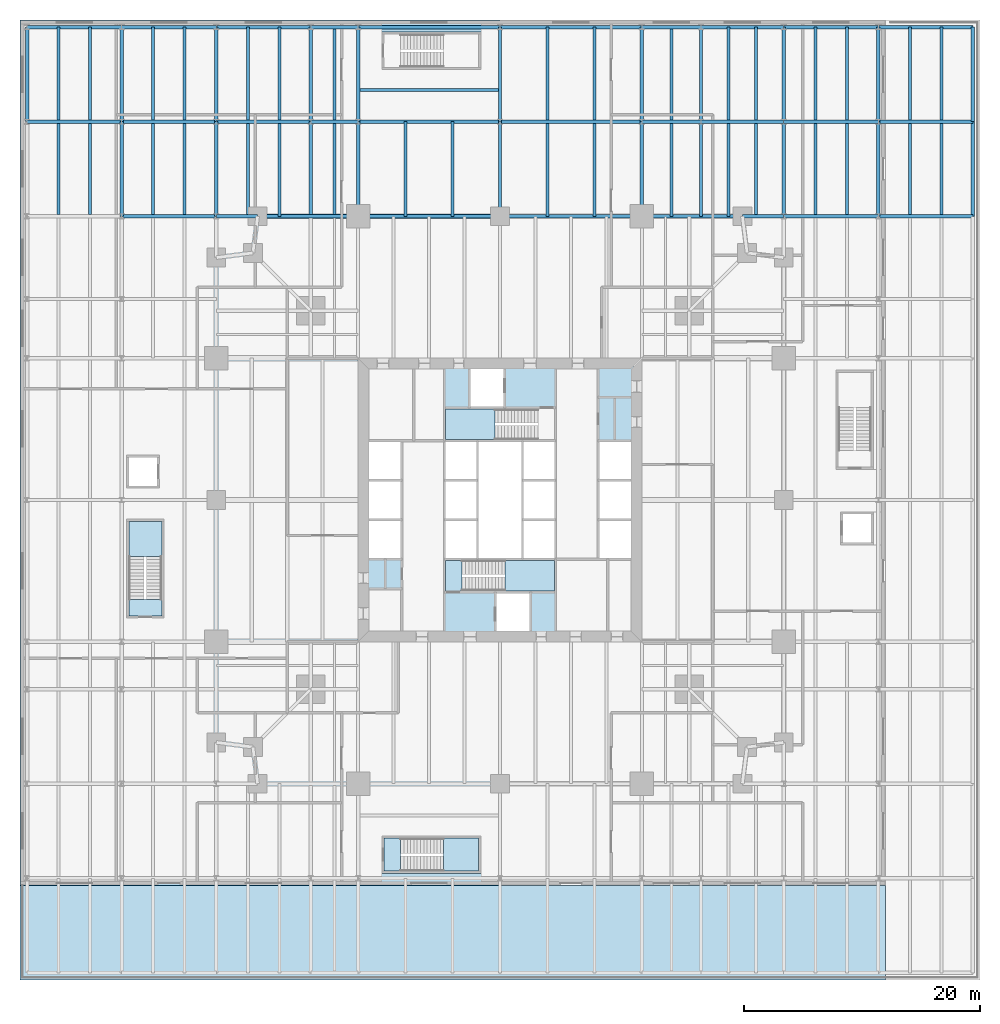
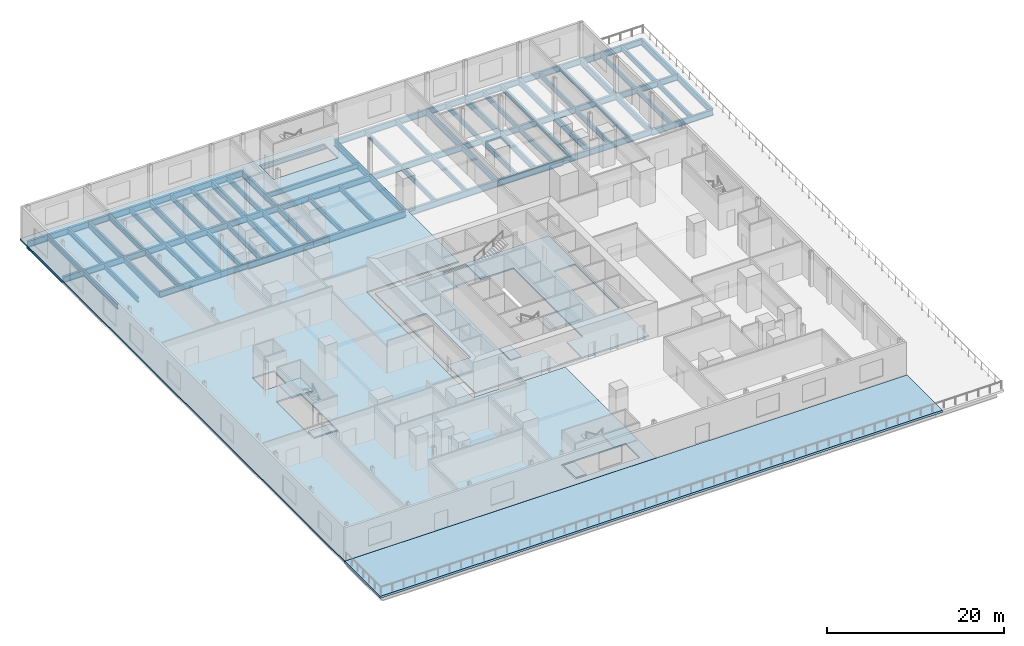
# One storey, part 8 of 18: 85 beams, 10 slabs, 4 elements without a shape of their own.
"""IFC4 building model written with IfcOpenShell, lengths in metres."""

import ifcopenshell
import ifcopenshell.guid

model = None  # the IFC model being written
_history = None  # IfcOwnerHistory: only IFC2X3 demands one
_inside = {}  # id of a spatial element -> (the spatial element, [elements in it])
_under = {}  # id of a project, library or spatial element -> (it, [spatial elements below it])
_declared = {}  # id of a project -> (the project, [libraries it declares])
_typed = {}  # id of a type object -> (the type object, [elements of that type])
_made_of = {}  # id of a material, layer set ... -> (it, [elements and type objects made of it])


def new_model(schema):
    """Start an empty IFC model of exactly this schema.

    Asked for "IFC4X3", IfcOpenShell would pick the latest addendum, in which some entities
    have other attributes; the version numbers below select the first issue.
    IFC2X3 requires an IfcOwnerHistory on every rooted entity: one is made here for all.
    """
    global model, _history
    if schema == "IFC4X3":
        model = ifcopenshell.file(schema_version=(4, 3, 0, 0))
    else:
        model = ifcopenshell.file(schema=schema)
    _inside.clear()
    _under.clear()
    _declared.clear()
    _typed.clear()
    _made_of.clear()
    _history = None
    if model.schema == "IFC2X3":
        org = make("IfcOrganization", Name="unknown")
        user = make(
            "IfcPersonAndOrganization",
            ThePerson=make("IfcPerson", FamilyName="unknown"),
            TheOrganization=org,
        )
        app = make(
            "IfcApplication",
            ApplicationDeveloper=org,
            Version="unknown",
            ApplicationFullName="unknown",
            ApplicationIdentifier="unknown",
        )
        _history = make(
            "IfcOwnerHistory",
            OwningUser=user,
            OwningApplication=app,
            ChangeAction="ADDED",
            CreationDate=0,
        )
    return model


def make(cls, **values):
    """One entity of the class cls with the attributes given. An attribute that is None is left unset."""
    return model.create_entity(
        cls, **{name: value for name, value in values.items() if value is not None}
    )


def rooted(cls, **values):
    """An entity with a GlobalId (a new one), such as an element, a storey or a relation."""
    return make(cls, GlobalId=ifcopenshell.guid.new(), OwnerHistory=_history, **values)


def si_unit(unit_type, name, prefix=None):
    """IfcSIUnit, for example si_unit("LENGTHUNIT", "METRE", prefix="MILLI")."""
    return make("IfcSIUnit", UnitType=unit_type, Prefix=prefix, Name=name)


def assignment(units):
    """IfcUnitAssignment: the units of a project."""
    return None if units is None else make("IfcUnitAssignment", Units=units)


def point(xyz):
    """IfcCartesianPoint."""
    return None if xyz is None else make("IfcCartesianPoint", Coordinates=xyz)


def direction(xyz):
    """IfcDirection."""
    return None if xyz is None else make("IfcDirection", DirectionRatios=xyz)


def frame(location, z_axis=None, x_axis=None):
    """IfcAxis2Placement3D, a coordinate frame: its origin and axes. An axis left out is left unset."""
    return make(
        "IfcAxis2Placement3D",
        Location=point(location),
        Axis=direction(z_axis),
        RefDirection=direction(x_axis),
    )


def frame_2d(location, x_axis=None):
    """IfcAxis2Placement2D, a coordinate frame in the plane: its origin and x axis."""
    return make(
        "IfcAxis2Placement2D", Location=point(location), RefDirection=direction(x_axis)
    )


def origin():
    """The frame at (0, 0, 0) with its axes left unset."""
    return frame((0.0, 0.0, 0.0))


def origin_2d():
    """The frame at (0, 0) in the plane with its x axis left unset."""
    return frame_2d((0.0, 0.0))


def place(relative_to, where):
    """IfcLocalPlacement: puts the frame where relative to a parent placement (None: the world)."""
    return make(
        "IfcLocalPlacement", PlacementRelTo=relative_to, RelativePlacement=where
    )


def context(
    kind, dimensions, precision=None, world=None, true_north=None, identifier=None
):
    """IfcGeometricRepresentationContext, for example the 3D "Model" context."""
    return make(
        "IfcGeometricRepresentationContext",
        ContextIdentifier=identifier,
        ContextType=kind,
        CoordinateSpaceDimension=dimensions,
        Precision=precision,
        WorldCoordinateSystem=world,
        TrueNorth=true_north,
    )


def subcontext(parent, identifier, kind, view, scale=None):
    """IfcGeometricRepresentationSubContext, for example "Body" below "Model"."""
    return make(
        "IfcGeometricRepresentationSubContext",
        ContextIdentifier=identifier,
        ContextType=kind,
        ParentContext=parent,
        TargetScale=scale,
        TargetView=view,
    )


def project(units=None, contexts=None):
    """IfcProject with its units and contexts."""
    return rooted(
        "IfcProject",
        Name="project",
        RepresentationContexts=contexts,
        UnitsInContext=assignment(units),
    )


def spatial(cls, under=None, at=None, **own):
    """A site, building, storey or space (cls), placed at a placement, below another one or the project."""
    s = rooted(cls, ObjectPlacement=at, **own)
    if under is not None:
        _under.setdefault(under.id(), (under, []))[1].append(s)
    return s


def polyline(points):
    """IfcPolyline through the points."""
    return make("IfcPolyline", Points=[point(p) for p in points])


def profile(cls, at=None, kind="AREA", **sizes):
    """A parametric profile (cls). Its sizes go by their IFC names, for example OverallWidth=200.0."""
    return make(cls, ProfileType=kind, Position=at, **sizes)


def i_section(**sizes):
    """IfcIShapeProfileDef."""
    return profile("IfcIShapeProfileDef", **sizes)


def outline(outer, holes=None, kind="AREA"):
    """IfcArbitraryClosedProfileDef: a profile drawn as a closed curve; with holes, ...WithVoids."""
    if holes is None:
        return make("IfcArbitraryClosedProfileDef", ProfileType=kind, OuterCurve=outer)
    return make(
        "IfcArbitraryProfileDefWithVoids",
        ProfileType=kind,
        OuterCurve=outer,
        InnerCurves=holes,
    )


def extrude(swept, where, along, depth):
    """IfcExtrudedAreaSolid: the profile swept, set in the frame where, extruded along a direction by depth."""
    return make(
        "IfcExtrudedAreaSolid",
        SweptArea=swept,
        Position=where,
        ExtrudedDirection=direction(along),
        Depth=depth,
    )


def shape(context_of_items, identifier, shape_type, items):
    """IfcShapeRepresentation: the items that make up one representation, for example the "Body"."""
    return make(
        "IfcShapeRepresentation",
        ContextOfItems=context_of_items,
        RepresentationIdentifier=identifier,
        RepresentationType=shape_type,
        Items=items,
    )


def material(Name=None, Category=None):
    """IfcMaterial."""
    return make("IfcMaterial", Name=Name, Category=Category)


def layer(
    of_material, thickness, ventilated=None, Name=None, Category=None, Priority=None
):
    """IfcMaterialLayer: one layer of a wall or slab, of a material (None: an air gap)."""
    return make(
        "IfcMaterialLayer",
        Material=of_material,
        LayerThickness=thickness,
        IsVentilated=ventilated,
        Name=Name,
        Category=Category,
        Priority=Priority,
    )


def layer_set(layers, Name=None):
    """IfcMaterialLayerSet."""
    return make("IfcMaterialLayerSet", MaterialLayers=layers, LayerSetName=Name)


def material_profile(
    of_material, cross_section, Name=None, Category=None, Priority=None
):
    """IfcMaterialProfile: a cross section and its material."""
    return make(
        "IfcMaterialProfile",
        Name=Name,
        Material=of_material,
        Profile=cross_section,
        Priority=Priority,
        Category=Category,
    )


def profile_set(profiles, Name=None, composite=None):
    """IfcMaterialProfileSet."""
    return make(
        "IfcMaterialProfileSet",
        Name=Name,
        MaterialProfiles=profiles,
        CompositeProfile=composite,
    )


def made_of(thing, what):
    """Note that an element or type object is made of a material, layer set ...; save() writes the relation."""
    if what is not None:
        _made_of.setdefault(what.id(), (what, []))[1].append(thing)
    return thing


def type_object(cls, material=None, **own):
    """A type object (cls), such as IfcWallType, which elements share."""
    return made_of(rooted(cls, **own), material)


def element(
    cls,
    number,
    at=None,
    inside=None,
    cuts=None,
    type_object=None,
    material=None,
    context=None,
    identifier="Body",
    shape_type=None,
    held_by="IfcProductDefinitionShape",
    body=None,
    shapes=None,
    **own,
):
    """One element of the class cls, such as IfcWall. Its Tag is "e" and its number.

    at: its placement. inside: the storey or other place that contains it. cuts: it is an
    opening in that element (IfcRelVoidsElement). A single representation is given by context,
    identifier, shape_type and body (its items); several are given by shapes. held_by: the class
    of the entity that holds the representations. save() writes the other relations.
    """
    e = rooted(cls, Tag="e%d" % number, ObjectPlacement=at, **own)
    if body is not None:
        shapes = [shape(context, identifier, shape_type, body)]
    if shapes is not None:
        e.Representation = make(held_by, Representations=shapes)
    if inside is not None:
        _inside.setdefault(inside.id(), (inside, []))[1].append(e)
    if cuts is not None:
        rooted(
            "IfcRelVoidsElement", RelatingBuildingElement=cuts, RelatedOpeningElement=e
        )
    if type_object is not None:
        _typed.setdefault(type_object.id(), (type_object, []))[1].append(e)
    return made_of(e, material)


def aggregate(whole, parts):
    """IfcRelAggregates: a whole, such as a stair, and the parts it consists of."""
    return rooted("IfcRelAggregates", RelatingObject=whole, RelatedObjects=parts)


def save(model, path):
    """Write the relations noted so far, then the file.

    IfcRelAggregates (storeys below a building ...), IfcRelContainedInSpatialStructure (elements
    in a storey), IfcRelDefinesByType, IfcRelAssociatesMaterial and IfcRelDeclares: one each for
    every whole, place, type object, material and project.
    """
    for whole, parts in _under.values():
        aggregate(whole, parts)
    for where, things in _inside.values():
        rooted(
            "IfcRelContainedInSpatialStructure",
            RelatedElements=things,
            RelatingStructure=where,
        )
    for kind, things in _typed.values():
        rooted("IfcRelDefinesByType", RelatedObjects=things, RelatingType=kind)
    for what, things in _made_of.values():
        rooted("IfcRelAssociatesMaterial", RelatedObjects=things, RelatingMaterial=what)
    for by, libraries in _declared.values():
        rooted("IfcRelDeclares", RelatingContext=by, RelatedDefinitions=libraries)
    model.write(path)


model = new_model("IFC4")

# Units and contexts
model_context = context("Model", 3, precision=1e-05, world=origin(), true_north=direction((0.0, 1.0)))
body_context = subcontext(model_context, "Body", "Model", "MODEL_VIEW")
ifc_project = project(units=[si_unit("LENGTHUNIT", "METRE"), si_unit("AREAUNIT", "SQUARE_METRE"), si_unit("VOLUMEUNIT", "CUBIC_METRE"), si_unit("PLANEANGLEUNIT", "RADIAN"), si_unit("MASSUNIT", "GRAM", prefix="KILO")], contexts=[model_context])

# Site, building, storey
site_placement = place(None, origin())
site = spatial("IfcSite", under=ifc_project, at=site_placement, CompositionType="ELEMENT")
building_placement = place(site_placement, origin())
building = spatial("IfcBuilding", under=site, at=building_placement, Name="Fenwick Lantern Interchange", CompositionType="ELEMENT")
storey_placement = place(building_placement, frame((0.0, 0.0, 11.800048828125)))
storey = spatial("IfcBuildingStorey", under=building, at=storey_placement, Name="L02", CompositionType="ELEMENT", Elevation=11.800048828125)

# Beams
ifc_material_1 = material(Name="Steel ASTM A992 Grade 50", Category="steel")
ifc_material_profile_1 = material_profile(ifc_material_1, i_section(OverallWidth=0.309814453125, OverallDepth=0.949951171875, WebThickness=0.0244140625, FlangeThickness=0.0439453125, at=origin_2d()), Name="W36X256")
ifc_profile_set_1 = profile_set([ifc_material_profile_1], Name="Steel ASTM A992 Grade 50")
beam_type_1 = type_object("IfcBeamType", Name="EDGE BEAM W36X256", PredefinedType="SPANDREL", material=ifc_profile_set_1)
beam_1_placement = place(storey_placement, frame((45.5, 49.0, -0.675048828125), z_axis=(-1.0, 0.0, 0.0), x_axis=(0.0, -1.0, 0.0)))
element("IfcBeam", 1, at=beam_1_placement, inside=storey, type_object=beam_type_1, Name="L02/FR/N/EB1", PredefinedType="SPANDREL", context=body_context, shape_type="SweptSolid", body=[
    extrude(i_section(OverallWidth=0.309814453125, OverallDepth=0.949951171875, WebThickness=0.0244140625, FlangeThickness=0.0439453125, at=origin_2d()), origin(), (0.0, 0.0, 1.0), 8.5),
])
for number, where, z_axis, x_axis, name in (
    (2, (37.0, 49.0, -0.675048828125), (-1.0, 0.0, 0.0), (0.0, -1.0, 0.0), "L02/FR/N/EB2"),
    (3, (25.0, 49.0, -0.675048828125), (-1.0, 0.0, 0.0), (0.0, -1.0, 0.0), "L02/FR/N/EB3"),
):
    element("IfcBeam", number, at=place(storey_placement, frame(where, z_axis=z_axis, x_axis=x_axis)), inside=storey, type_object=beam_type_1, Name=name, PredefinedType="SPANDREL", context=body_context, shape_type="SweptSolid", body=[
        extrude(i_section(OverallWidth=0.309814453125, OverallDepth=0.949951171875, WebThickness=0.0244140625, FlangeThickness=0.0439453125, at=origin_2d()), origin(), (0.0, 0.0, 1.0), 12.0),
    ])
beam_2_placement = place(storey_placement, frame((13.0, 49.0, -0.675048828125), z_axis=(-1.0, 0.0, 0.0), x_axis=(0.0, -1.0, 0.0)))
element("IfcBeam", 4, at=beam_2_placement, inside=storey, type_object=beam_type_1, Name="L02/FR/N/EB4", PredefinedType="SPANDREL", context=body_context, shape_type="SweptSolid", body=[
    extrude(i_section(OverallWidth=0.309814453125, OverallDepth=0.949951171875, WebThickness=0.0244140625, FlangeThickness=0.0439453125, at=origin_2d()), origin(), (0.0, 0.0, 1.0), 8.5),
])
ifc_material_profile_2 = material_profile(ifc_material_1, i_section(OverallWidth=0.2919921875, OverallDepth=0.845703125, WebThickness=0.015380859375, FlangeThickness=0.0244140625, at=origin_2d()), Name="W33X141")
ifc_profile_set_2 = profile_set([ifc_material_profile_2], Name="Steel ASTM A992 Grade 50")
beam_type_2 = type_object("IfcBeamType", Name="MOMENT-CONNECTED PODIUM GIRDER W33X141", PredefinedType="BEAM", material=ifc_profile_set_2)
beam_3_placement = place(storey_placement, frame((-7.0, 49.0, -0.623046875), z_axis=(1.0, 0.0, 0.0), x_axis=(0.0, 1.0, 0.0)))
element("IfcBeam", 5, at=beam_3_placement, inside=storey, type_object=beam_type_2, Name="L02/PF/G048", PredefinedType="BEAM", context=body_context, shape_type="SweptSolid", body=[
    extrude(i_section(OverallWidth=0.2919921875, OverallDepth=0.845703125, WebThickness=0.015380859375, FlangeThickness=0.0244140625, at=origin_2d()), origin(), (0.0, 0.0, 1.0), 8.0),
])
for number, where, z_axis, x_axis, name in (
    (6, (1.0, 49.0, -0.623046875), (1.0, 0.0, 0.0), (0.0, 1.0, 0.0), "L02/PF/G049"),
    (7, (45.5, 49.0, -0.623046875), (1.0, 0.0, 0.0), (0.0, 1.0, 0.0), "L02/PF/G050"),
):
    element("IfcBeam", number, at=place(storey_placement, frame(where, z_axis=z_axis, x_axis=x_axis)), inside=storey, type_object=beam_type_2, Name=name, PredefinedType="BEAM", context=body_context, shape_type="SweptSolid", body=[
        extrude(i_section(OverallWidth=0.2919921875, OverallDepth=0.845703125, WebThickness=0.015380859375, FlangeThickness=0.0244140625, at=origin_2d()), origin(), (0.0, 0.0, 1.0), 3.5),
    ])
for number, where, z_axis, x_axis, name in (
    (8, (49.0, 49.0, -0.623046875), (1.0, 0.0, 0.0), (0.0, 1.0, 0.0), "L02/PF/G051"),
    (9, (57.0, 49.0, -0.722900390625), (1.0, 0.0, 0.0), (0.0, 1.0, 0.0), "L02/PF/G052"),
    (10, (-15.0, 57.0, -0.623046875), (1.0, 0.0, 0.0), (0.0, 1.0, 0.0), "L02/PF/G053"),
    (11, (-7.0, 57.0, -0.623046875), (1.0, 0.0, 0.0), (0.0, 1.0, 0.0), "L02/PF/G054"),
    (12, (1.0, 57.0, -0.623046875), (1.0, 0.0, 0.0), (0.0, 1.0, 0.0), "L02/PF/G055"),
):
    element("IfcBeam", number, at=place(storey_placement, frame(where, z_axis=z_axis, x_axis=x_axis)), inside=storey, type_object=beam_type_2, Name=name, PredefinedType="BEAM", context=body_context, shape_type="SweptSolid", body=[
        extrude(i_section(OverallWidth=0.2919921875, OverallDepth=0.845703125, WebThickness=0.015380859375, FlangeThickness=0.0244140625, at=origin_2d()), origin(), (0.0, 0.0, 1.0), 8.0),
    ])
beam_4_placement = place(storey_placement, frame((9.0, 57.0, -0.623046875), z_axis=(1.0, 0.0, 0.0), x_axis=(0.0, 1.0, 0.0)))
element("IfcBeam", 13, at=beam_4_placement, inside=storey, type_object=beam_type_2, Name="L02/PF/G056", PredefinedType="BEAM", context=body_context, shape_type="SweptSolid", body=[
    extrude(i_section(OverallWidth=0.2919921875, OverallDepth=0.845703125, WebThickness=0.015380859375, FlangeThickness=0.0244140625, at=origin_2d()), origin(), (0.0, 0.0, 1.0), 4.0),
])
for number, where, z_axis, x_axis, name in (
    (14, (13.0, 57.0, -0.623046875), (1.0, 0.0, 0.0), (0.0, 1.0, 0.0), "L02/PF/G057"),
    (15, (25.0, 57.0, -0.623046875), (1.0, 0.0, 0.0), (0.0, 1.0, 0.0), "L02/PF/G058"),
):
    element("IfcBeam", number, at=place(storey_placement, frame(where, z_axis=z_axis, x_axis=x_axis)), inside=storey, type_object=beam_type_2, Name=name, PredefinedType="BEAM", context=body_context, shape_type="SweptSolid", body=[
        extrude(i_section(OverallWidth=0.2919921875, OverallDepth=0.845703125, WebThickness=0.015380859375, FlangeThickness=0.0244140625, at=origin_2d()), origin(), (0.0, 0.0, 1.0), 12.0),
    ])
beam_5_placement = place(storey_placement, frame((37.0, 57.0, -0.623046875), z_axis=(1.0, 0.0, 0.0), x_axis=(0.0, 1.0, 0.0)))
element("IfcBeam", 16, at=beam_5_placement, inside=storey, type_object=beam_type_2, Name="L02/PF/G059", PredefinedType="BEAM", context=body_context, shape_type="SweptSolid", body=[
    extrude(i_section(OverallWidth=0.2919921875, OverallDepth=0.845703125, WebThickness=0.015380859375, FlangeThickness=0.0244140625, at=origin_2d()), origin(), (0.0, 0.0, 1.0), 5.0),
])
beam_6_placement = place(storey_placement, frame((42.0, 57.0, -0.623046875), z_axis=(1.0, 0.0, 0.0), x_axis=(0.0, 1.0, 0.0)))
element("IfcBeam", 17, at=beam_6_placement, inside=storey, type_object=beam_type_2, Name="L02/PF/G060", PredefinedType="BEAM", context=body_context, shape_type="SweptSolid", body=[
    extrude(i_section(OverallWidth=0.2919921875, OverallDepth=0.845703125, WebThickness=0.015380859375, FlangeThickness=0.0244140625, at=origin_2d()), origin(), (0.0, 0.0, 1.0), 7.0),
])
for number, where, z_axis, x_axis, name in (
    (18, (49.0, 57.0, -0.623046875), (1.0, 0.0, 0.0), (0.0, 1.0, 0.0), "L02/PF/G061"),
    (19, (57.0, 57.0, -0.722900390625), (1.0, 0.0, 0.0), (0.0, 1.0, 0.0), "L02/PF/G062"),
    (20, (-15.0, 65.0, -0.623046875), (1.0, 0.0, 0.0), (0.0, 1.0, 0.0), "L02/PF/G063"),
    (21, (-7.0, 65.0, -0.623046875), (1.0, 0.0, 0.0), (0.0, 1.0, 0.0), "L02/PF/G064"),
    (22, (1.0, 65.0, -0.623046875), (1.0, 0.0, 0.0), (0.0, 1.0, 0.0), "L02/PF/G065"),
):
    element("IfcBeam", number, at=place(storey_placement, frame(where, z_axis=z_axis, x_axis=x_axis)), inside=storey, type_object=beam_type_2, Name=name, PredefinedType="BEAM", context=body_context, shape_type="SweptSolid", body=[
        extrude(i_section(OverallWidth=0.2919921875, OverallDepth=0.845703125, WebThickness=0.015380859375, FlangeThickness=0.0244140625, at=origin_2d()), origin(), (0.0, 0.0, 1.0), 8.0),
    ])
beam_7_placement = place(storey_placement, frame((9.0, 65.0, -0.623046875), z_axis=(1.0, 0.0, 0.0), x_axis=(0.0, 1.0, 0.0)))
element("IfcBeam", 23, at=beam_7_placement, inside=storey, type_object=beam_type_2, Name="L02/PF/G066", PredefinedType="BEAM", context=body_context, shape_type="SweptSolid", body=[
    extrude(i_section(OverallWidth=0.2919921875, OverallDepth=0.845703125, WebThickness=0.015380859375, FlangeThickness=0.0244140625, at=origin_2d()), origin(), (0.0, 0.0, 1.0), 4.0),
])
for number, where, z_axis, x_axis, name in (
    (24, (13.0, 65.0, -0.623046875), (1.0, 0.0, 0.0), (0.0, 1.0, 0.0), "L02/PF/G067"),
    (25, (25.0, 65.0, -0.623046875), (1.0, 0.0, 0.0), (0.0, 1.0, 0.0), "L02/PF/G068"),
):
    element("IfcBeam", number, at=place(storey_placement, frame(where, z_axis=z_axis, x_axis=x_axis)), inside=storey, type_object=beam_type_2, Name=name, PredefinedType="BEAM", context=body_context, shape_type="SweptSolid", body=[
        extrude(i_section(OverallWidth=0.2919921875, OverallDepth=0.845703125, WebThickness=0.015380859375, FlangeThickness=0.0244140625, at=origin_2d()), origin(), (0.0, 0.0, 1.0), 12.0),
    ])
beam_8_placement = place(storey_placement, frame((37.0, 65.0, -0.623046875), z_axis=(1.0, 0.0, 0.0), x_axis=(0.0, 1.0, 0.0)))
element("IfcBeam", 26, at=beam_8_placement, inside=storey, type_object=beam_type_2, Name="L02/PF/G069", PredefinedType="BEAM", context=body_context, shape_type="SweptSolid", body=[
    extrude(i_section(OverallWidth=0.2919921875, OverallDepth=0.845703125, WebThickness=0.015380859375, FlangeThickness=0.0244140625, at=origin_2d()), origin(), (0.0, 0.0, 1.0), 5.0),
])
beam_9_placement = place(storey_placement, frame((42.0, 65.0, -0.623046875), z_axis=(1.0, 0.0, 0.0), x_axis=(0.0, 1.0, 0.0)))
element("IfcBeam", 27, at=beam_9_placement, inside=storey, type_object=beam_type_2, Name="L02/PF/G070", PredefinedType="BEAM", context=body_context, shape_type="SweptSolid", body=[
    extrude(i_section(OverallWidth=0.2919921875, OverallDepth=0.845703125, WebThickness=0.015380859375, FlangeThickness=0.0244140625, at=origin_2d()), origin(), (0.0, 0.0, 1.0), 7.0),
])
for number, where, z_axis, x_axis, name in (
    (28, (49.0, 65.0, -0.623046875), (1.0, 0.0, 0.0), (0.0, 1.0, 0.0), "L02/PF/G071"),
    (29, (57.0, 65.0, -0.722900390625), (1.0, 0.0, 0.0), (0.0, 1.0, 0.0), "L02/PF/G072"),
    (30, (-15.0, 57.0, -0.623046875), (0.0, 1.0, 0.0), (-1.0, 0.0, 0.0), "L02/PF/G082"),
    (31, (-7.0, 49.0, -0.623046875), (0.0, 1.0, 0.0), (-1.0, 0.0, 0.0), "L02/PF/G091"),
    (32, (-7.0, 57.0, -0.623046875), (0.0, 1.0, 0.0), (-1.0, 0.0, 0.0), "L02/PF/G092"),
    (33, (1.0, 49.0, -0.623046875), (0.0, 1.0, 0.0), (-1.0, 0.0, 0.0), "L02/PF/G097"),
    (34, (1.0, 57.0, -0.623046875), (0.0, 1.0, 0.0), (-1.0, 0.0, 0.0), "L02/PF/G098"),
):
    element("IfcBeam", number, at=place(storey_placement, frame(where, z_axis=z_axis, x_axis=x_axis)), inside=storey, type_object=beam_type_2, Name=name, PredefinedType="BEAM", context=body_context, shape_type="SweptSolid", body=[
        extrude(i_section(OverallWidth=0.2919921875, OverallDepth=0.845703125, WebThickness=0.015380859375, FlangeThickness=0.0244140625, at=origin_2d()), origin(), (0.0, 0.0, 1.0), 8.0),
    ])
beam_10_placement = place(storey_placement, frame((9.0, 49.155029296875, -0.623046875), z_axis=(0.0, 1.0, 0.0), x_axis=(-1.0, 0.0, 0.0)))
element("IfcBeam", 35, at=beam_10_placement, inside=storey, type_object=beam_type_2, Name="L02/PF/G101", PredefinedType="BEAM", context=body_context, shape_type="SweptSolid", body=[
    extrude(i_section(OverallWidth=0.2919921875, OverallDepth=0.845703125, WebThickness=0.015380859375, FlangeThickness=0.0244140625, at=origin_2d()), origin(), (0.0, 0.0, 1.0), 7.844970703125),
])
for number, where, z_axis, x_axis, name in (
    (36, (9.0, 57.0, -0.623046875), (0.0, 1.0, 0.0), (-1.0, 0.0, 0.0), "L02/PF/G102"),
    (37, (13.0, 49.0, -0.623046875), (0.0, 1.0, 0.0), (-1.0, 0.0, 0.0), "L02/PF/G105"),
    (38, (13.0, 57.0, -0.623046875), (0.0, 1.0, 0.0), (-1.0, 0.0, 0.0), "L02/PF/G106"),
    (39, (25.0, 49.0, -0.623046875), (0.0, 1.0, 0.0), (-1.0, 0.0, 0.0), "L02/PF/G109"),
    (40, (25.0, 57.0, -0.623046875), (0.0, 1.0, 0.0), (-1.0, 0.0, 0.0), "L02/PF/G110"),
    (41, (37.0, 49.0, -0.623046875), (0.0, 1.0, 0.0), (-1.0, 0.0, 0.0), "L02/PF/G113"),
    (42, (37.0, 57.0, -0.623046875), (0.0, 1.0, 0.0), (-1.0, 0.0, 0.0), "L02/PF/G114"),
    (43, (42.0, 49.0, -0.623046875), (0.0, 1.0, 0.0), (-1.0, 0.0, 0.0), "L02/PF/G117"),
    (44, (42.0, 57.0, -0.623046875), (0.0, 1.0, 0.0), (-1.0, 0.0, 0.0), "L02/PF/G118"),
    (45, (49.0, 49.0, -0.623046875), (0.0, 1.0, 0.0), (-1.0, 0.0, 0.0), "L02/PF/G123"),
    (46, (49.0, 57.0, -0.623046875), (0.0, 1.0, 0.0), (-1.0, 0.0, 0.0), "L02/PF/G124"),
    (47, (57.0, 49.0, -0.623046875), (0.0, 1.0, 0.0), (-1.0, 0.0, 0.0), "L02/PF/G133"),
    (48, (57.0, 57.0, -0.623046875), (0.0, 1.0, 0.0), (-1.0, 0.0, 0.0), "L02/PF/G134"),
    (49, (65.0, 49.0, -0.722900390625), (0.0, 1.0, 0.0), (-1.0, 0.0, 0.0), "L02/PF/G143"),
    (50, (65.0, 57.0, -0.722900390625), (0.0, 1.0, 0.0), (-1.0, 0.0, 0.0), "L02/PF/G144"),
):
    element("IfcBeam", number, at=place(storey_placement, frame(where, z_axis=z_axis, x_axis=x_axis)), inside=storey, type_object=beam_type_2, Name=name, PredefinedType="BEAM", context=body_context, shape_type="SweptSolid", body=[
        extrude(i_section(OverallWidth=0.2919921875, OverallDepth=0.845703125, WebThickness=0.015380859375, FlangeThickness=0.0244140625, at=origin_2d()), origin(), (0.0, 0.0, 1.0), 8.0),
    ])
ifc_material_profile_3 = material_profile(ifc_material_1, i_section(OverallWidth=0.25390625, OverallDepth=0.683349609375, WebThickness=0.012451171875, FlangeThickness=0.01904296875, at=origin_2d()), Name="W27X94")
ifc_profile_set_3 = profile_set([ifc_material_profile_3], Name="Steel ASTM A992 Grade 50")
beam_type_3 = type_object("IfcBeamType", Name="PODIUM BEAM W27X94", PredefinedType="JOIST", material=ifc_profile_set_3)
for number, where, z_axis, x_axis, name in (
    (51, (-12.333251953125, 49.14599609375, -0.541748046875), (0.0, 1.0, 0.0), (-1.0, 0.0, 0.0), "L02/PF/J161"),
    (52, (-9.666748046875, 49.14599609375, -0.541748046875), (0.0, 1.0, 0.0), (-1.0, 0.0, 0.0), "L02/PF/J162"),
):
    element("IfcBeam", number, at=place(storey_placement, frame(where, z_axis=z_axis, x_axis=x_axis)), inside=storey, type_object=beam_type_3, Name=name, PredefinedType="JOIST", context=body_context, shape_type="SweptSolid", body=[
        extrude(i_section(OverallWidth=0.25390625, OverallDepth=0.683349609375, WebThickness=0.012451171875, FlangeThickness=0.01904296875, at=origin_2d()), origin(), (0.0, 0.0, 1.0), 7.7080078125),
    ])
for number, where, z_axis, x_axis, name in (
    (53, (-12.333251953125, 57.14599609375, -0.541748046875), (0.0, 1.0, 0.0), (-1.0, 0.0, 0.0), "L02/PF/J163"),
    (54, (-9.666748046875, 57.14599609375, -0.541748046875), (0.0, 1.0, 0.0), (-1.0, 0.0, 0.0), "L02/PF/J164"),
):
    element("IfcBeam", number, at=place(storey_placement, frame(where, z_axis=z_axis, x_axis=x_axis)), inside=storey, type_object=beam_type_3, Name=name, PredefinedType="JOIST", context=body_context, shape_type="SweptSolid", body=[
        extrude(i_section(OverallWidth=0.25390625, OverallDepth=0.683349609375, WebThickness=0.012451171875, FlangeThickness=0.01904296875, at=origin_2d()), origin(), (0.0, 0.0, 1.0), 7.85400390625),
    ])
for number, where, z_axis, x_axis, name in (
    (55, (-4.333251953125, 49.14599609375, -0.541748046875), (0.0, 1.0, 0.0), (-1.0, 0.0, 0.0), "L02/PF/J179"),
    (56, (-1.666748046875, 49.14599609375, -0.541748046875), (0.0, 1.0, 0.0), (-1.0, 0.0, 0.0), "L02/PF/J180"),
):
    element("IfcBeam", number, at=place(storey_placement, frame(where, z_axis=z_axis, x_axis=x_axis)), inside=storey, type_object=beam_type_3, Name=name, PredefinedType="JOIST", context=body_context, shape_type="SweptSolid", body=[
        extrude(i_section(OverallWidth=0.25390625, OverallDepth=0.683349609375, WebThickness=0.012451171875, FlangeThickness=0.01904296875, at=origin_2d()), origin(), (0.0, 0.0, 1.0), 7.7080078125),
    ])
for number, where, z_axis, x_axis, name in (
    (57, (-4.333251953125, 57.14599609375, -0.541748046875), (0.0, 1.0, 0.0), (-1.0, 0.0, 0.0), "L02/PF/J181"),
    (58, (-1.666748046875, 57.14599609375, -0.541748046875), (0.0, 1.0, 0.0), (-1.0, 0.0, 0.0), "L02/PF/J182"),
    (59, (3.666748046875, 49.0, -0.541748046875), (0.0, 1.0, 0.0), (-1.0, 0.0, 0.0), "L02/PF/J187"),
    (60, (6.333251953125, 49.0, -0.541748046875), (0.0, 1.0, 0.0), (-1.0, 0.0, 0.0), "L02/PF/J188"),
    (61, (3.666748046875, 57.14599609375, -0.541748046875), (0.0, 1.0, 0.0), (-1.0, 0.0, 0.0), "L02/PF/J189"),
    (62, (6.333251953125, 57.14599609375, -0.541748046875), (0.0, 1.0, 0.0), (-1.0, 0.0, 0.0), "L02/PF/J190"),
):
    element("IfcBeam", number, at=place(storey_placement, frame(where, z_axis=z_axis, x_axis=x_axis)), inside=storey, type_object=beam_type_3, Name=name, PredefinedType="JOIST", context=body_context, shape_type="SweptSolid", body=[
        extrude(i_section(OverallWidth=0.25390625, OverallDepth=0.683349609375, WebThickness=0.012451171875, FlangeThickness=0.01904296875, at=origin_2d()), origin(), (0.0, 0.0, 1.0), 7.85400390625),
    ])
beam_11_placement = place(storey_placement, frame((11.0, 49.155029296875, -0.541748046875), z_axis=(0.0, 1.0, 0.0), x_axis=(-1.0, 0.0, 0.0)))
element("IfcBeam", 63, at=beam_11_placement, inside=storey, type_object=beam_type_3, Name="L02/PF/J193", PredefinedType="JOIST", context=body_context, shape_type="SweptSolid", body=[
    extrude(i_section(OverallWidth=0.25390625, OverallDepth=0.683349609375, WebThickness=0.012451171875, FlangeThickness=0.01904296875, at=origin_2d()), origin(), (0.0, 0.0, 1.0), 7.698974609375),
])
beam_12_placement = place(storey_placement, frame((11.0, 57.14599609375, -0.541748046875), z_axis=(0.0, 1.0, 0.0), x_axis=(-1.0, 0.0, 0.0)))
element("IfcBeam", 64, at=beam_12_placement, inside=storey, type_object=beam_type_3, Name="L02/PF/J194", PredefinedType="JOIST", context=body_context, shape_type="SweptSolid", body=[
    extrude(i_section(OverallWidth=0.25390625, OverallDepth=0.683349609375, WebThickness=0.012451171875, FlangeThickness=0.01904296875, at=origin_2d()), origin(), (0.0, 0.0, 1.0), 7.85400390625),
])
for number, where, z_axis, x_axis, name in (
    (65, (17.0, 49.0, -0.541748046875), (0.0, 1.0, 0.0), (-1.0, 0.0, 0.0), "L02/PF/J198"),
    (66, (21.0, 49.0, -0.541748046875), (0.0, 1.0, 0.0), (-1.0, 0.0, 0.0), "L02/PF/J199"),
):
    element("IfcBeam", number, at=place(storey_placement, frame(where, z_axis=z_axis, x_axis=x_axis)), inside=storey, type_object=beam_type_3, Name=name, PredefinedType="JOIST", context=body_context, shape_type="SweptSolid", body=[
        extrude(i_section(OverallWidth=0.25390625, OverallDepth=0.683349609375, WebThickness=0.012451171875, FlangeThickness=0.01904296875, at=origin_2d()), origin(), (0.0, 0.0, 1.0), 8.0),
    ])
beam_13_placement = place(storey_placement, frame((13.0, 59.666748046875, -0.541748046875), z_axis=(1.0, 0.0, 0.0), x_axis=(0.0, 1.0, 0.0)))
element("IfcBeam", 67, at=beam_13_placement, inside=storey, type_object=beam_type_3, Name="L02/PF/J200", PredefinedType="JOIST", context=body_context, shape_type="SweptSolid", body=[
    extrude(i_section(OverallWidth=0.25390625, OverallDepth=0.683349609375, WebThickness=0.012451171875, FlangeThickness=0.01904296875, at=origin_2d()), origin(), (0.0, 0.0, 1.0), 12.0),
])
for number, where, z_axis, x_axis, name in (
    (68, (29.0, 49.0, -0.541748046875), (0.0, 1.0, 0.0), (-1.0, 0.0, 0.0), "L02/PF/J205"),
    (69, (33.0, 49.0, -0.541748046875), (0.0, 1.0, 0.0), (-1.0, 0.0, 0.0), "L02/PF/J206"),
    (70, (29.0, 57.14599609375, -0.541748046875), (0.0, 1.0, 0.0), (-1.0, 0.0, 0.0), "L02/PF/J207"),
    (71, (33.0, 57.14599609375, -0.541748046875), (0.0, 1.0, 0.0), (-1.0, 0.0, 0.0), "L02/PF/J208"),
    (72, (39.5, 49.0, -0.541748046875), (0.0, 1.0, 0.0), (-1.0, 0.0, 0.0), "L02/PF/J211"),
    (73, (39.5, 57.14599609375, -0.541748046875), (0.0, 1.0, 0.0), (-1.0, 0.0, 0.0), "L02/PF/J212"),
    (74, (44.333251953125, 49.0, -0.541748046875), (0.0, 1.0, 0.0), (-1.0, 0.0, 0.0), "L02/PF/J217"),
    (75, (46.666748046875, 49.0, -0.541748046875), (0.0, 1.0, 0.0), (-1.0, 0.0, 0.0), "L02/PF/J218"),
    (76, (44.333251953125, 57.14599609375, -0.541748046875), (0.0, 1.0, 0.0), (-1.0, 0.0, 0.0), "L02/PF/J219"),
    (77, (46.666748046875, 57.14599609375, -0.541748046875), (0.0, 1.0, 0.0), (-1.0, 0.0, 0.0), "L02/PF/J220"),
):
    element("IfcBeam", number, at=place(storey_placement, frame(where, z_axis=z_axis, x_axis=x_axis)), inside=storey, type_object=beam_type_3, Name=name, PredefinedType="JOIST", context=body_context, shape_type="SweptSolid", body=[
        extrude(i_section(OverallWidth=0.25390625, OverallDepth=0.683349609375, WebThickness=0.012451171875, FlangeThickness=0.01904296875, at=origin_2d()), origin(), (0.0, 0.0, 1.0), 7.85400390625),
    ])
for number, where, z_axis, x_axis, name in (
    (78, (51.666748046875, 49.14599609375, -0.541748046875), (0.0, 1.0, 0.0), (-1.0, 0.0, 0.0), "L02/PF/J235"),
    (79, (54.333251953125, 49.14599609375, -0.541748046875), (0.0, 1.0, 0.0), (-1.0, 0.0, 0.0), "L02/PF/J236"),
):
    element("IfcBeam", number, at=place(storey_placement, frame(where, z_axis=z_axis, x_axis=x_axis)), inside=storey, type_object=beam_type_3, Name=name, PredefinedType="JOIST", context=body_context, shape_type="SweptSolid", body=[
        extrude(i_section(OverallWidth=0.25390625, OverallDepth=0.683349609375, WebThickness=0.012451171875, FlangeThickness=0.01904296875, at=origin_2d()), origin(), (0.0, 0.0, 1.0), 7.7080078125),
    ])
for number, where, z_axis, x_axis, name in (
    (80, (51.666748046875, 57.14599609375, -0.541748046875), (0.0, 1.0, 0.0), (-1.0, 0.0, 0.0), "L02/PF/J237"),
    (81, (54.333251953125, 57.14599609375, -0.541748046875), (0.0, 1.0, 0.0), (-1.0, 0.0, 0.0), "L02/PF/J238"),
):
    element("IfcBeam", number, at=place(storey_placement, frame(where, z_axis=z_axis, x_axis=x_axis)), inside=storey, type_object=beam_type_3, Name=name, PredefinedType="JOIST", context=body_context, shape_type="SweptSolid", body=[
        extrude(i_section(OverallWidth=0.25390625, OverallDepth=0.683349609375, WebThickness=0.012451171875, FlangeThickness=0.01904296875, at=origin_2d()), origin(), (0.0, 0.0, 1.0), 7.85400390625),
    ])
for number, where, z_axis, x_axis, name in (
    (82, (59.666748046875, 49.14599609375, -0.6416015625), (0.0, 1.0, 0.0), (-1.0, 0.0, 0.0), "L02/PF/J255"),
    (83, (62.333251953125, 49.14599609375, -0.6416015625), (0.0, 1.0, 0.0), (-1.0, 0.0, 0.0), "L02/PF/J256"),
):
    element("IfcBeam", number, at=place(storey_placement, frame(where, z_axis=z_axis, x_axis=x_axis)), inside=storey, type_object=beam_type_3, Name=name, PredefinedType="JOIST", context=body_context, shape_type="SweptSolid", body=[
        extrude(i_section(OverallWidth=0.25390625, OverallDepth=0.683349609375, WebThickness=0.012451171875, FlangeThickness=0.01904296875, at=origin_2d()), origin(), (0.0, 0.0, 1.0), 7.7080078125),
    ])
for number, where, z_axis, x_axis, name in (
    (84, (59.666748046875, 57.14599609375, -0.6416015625), (0.0, 1.0, 0.0), (-1.0, 0.0, 0.0), "L02/PF/J257"),
    (85, (62.333251953125, 57.14599609375, -0.6416015625), (0.0, 1.0, 0.0), (-1.0, 0.0, 0.0), "L02/PF/J258"),
):
    element("IfcBeam", number, at=place(storey_placement, frame(where, z_axis=z_axis, x_axis=x_axis)), inside=storey, type_object=beam_type_3, Name=name, PredefinedType="JOIST", context=body_context, shape_type="SweptSolid", body=[
        extrude(i_section(OverallWidth=0.25390625, OverallDepth=0.683349609375, WebThickness=0.012451171875, FlangeThickness=0.01904296875, at=origin_2d()), origin(), (0.0, 0.0, 1.0), 7.85400390625),
    ])

# Slabs
ifc_material_2 = material(Name="Concrete f'c 35 MPa", Category="concrete")
ifc_layer_1 = layer(ifc_material_2, 0.199951171875)
ifc_layer_set_1 = layer_set([ifc_layer_1], Name="CORE FLOOR SLAB 200")
slab_type_1 = type_object("IfcSlabType", Name="CORE FLOOR SLAB 200", PredefinedType="FLOOR", material=ifc_layer_set_1)
slab_1_placement = place(storey_placement, frame((0.0, 0.0, -0.199951171875)))
element("IfcSlab", 86, at=slab_1_placement, inside=storey, type_object=slab_type_1, Name="L02/SLAB/CORE", PredefinedType="FLOOR", context=body_context, shape_type="SweptSolid", body=[
    extrude(outline(polyline([(13.699951171875, 36.300048828125), (36.300048828125, 36.300048828125), (36.300048828125, 13.699951171875), (13.699951171875, 13.699951171875), (13.699951171875, 36.300048828125)]), holes=[polyline([(13.89990234375, 20.0), (16.699951171875, 20.0), (16.699951171875, 23.333251953125), (16.699951171875, 26.666748046875), (16.699951171875, 30.0), (13.89990234375, 30.0), (13.89990234375, 26.666748046875), (13.89990234375, 23.333251953125), (13.89990234375, 20.0)]), polyline([(20.300048828125, 20.0), (20.300048828125, 17.199951171875), (24.60009765625, 17.199951171875), (24.60009765625, 13.89990234375), (27.60009765625, 13.89990234375), (27.60009765625, 17.199951171875), (29.699951171875, 17.199951171875), (29.699951171875, 20.0), (29.699951171875, 23.333251953125), (29.699951171875, 26.666748046875), (29.699951171875, 30.0), (29.699951171875, 32.800048828125), (25.39990234375, 32.800048828125), (25.39990234375, 36.10009765625), (22.39990234375, 36.10009765625), (22.39990234375, 32.800048828125), (20.300048828125, 32.800048828125), (20.300048828125, 30.0), (20.300048828125, 26.666748046875), (20.300048828125, 23.333251953125), (20.300048828125, 20.0)]), polyline([(33.300048828125, 23.333251953125), (33.300048828125, 20.0), (36.10009765625, 20.0), (36.10009765625, 23.333251953125), (36.10009765625, 26.666748046875), (36.10009765625, 30.0), (33.300048828125, 30.0), (33.300048828125, 26.666748046875), (33.300048828125, 23.333251953125)])]), origin(), (0.0, 0.0, 1.0), 0.199951171875),
])
ifc_material_3 = material(Name="Concrete f'c 35 MPa", Category="concrete")
ifc_layer_2 = layer(ifc_material_3, 0.199951171875)
ifc_layer_set_2 = layer_set([ifc_layer_2], Name="Concrete f'c 35 MPa")
slab_type_2 = type_object("IfcSlabType", Name="FLOOR SLAB 200", PredefinedType="FLOOR", material=ifc_layer_set_2)
slab_2_placement = place(storey_placement, frame((0.0, 0.0, -0.199951171875)))
element("IfcSlab", 87, at=slab_2_placement, inside=storey, type_object=slab_type_2, Name="L02/SLAB/FW", PredefinedType="FLOOR", context=body_context, shape_type="SweptSolid", body=[
    extrude(outline(polyline([(-15.60009765625, -7.60009765625), (-15.60009765625, 65.60009765625), (25.0, 65.60009765625), (25.0, 37.0), (13.0, 37.0), (13.0, 13.0), (25.0, 13.0), (25.0, -7.60009765625), (-15.60009765625, -7.60009765625)]), holes=[polyline([(23.39990234375, 61.39990234375), (23.39990234375, 64.60009765625), (15.0, 64.60009765625), (15.0, 61.39990234375), (23.39990234375, 61.39990234375)]), polyline([(23.39990234375, -6.60009765625), (23.39990234375, -3.39990234375), (15.0, -3.39990234375), (15.0, -6.60009765625), (23.39990234375, -6.60009765625)]), polyline([(-3.39990234375, 15.0), (-3.39990234375, 23.39990234375), (-6.60009765625, 23.39990234375), (-6.60009765625, 15.0), (-3.39990234375, 15.0)]), polyline([(-3.800048828125, 26.0), (-3.800048828125, 28.800048828125), (-6.60009765625, 28.800048828125), (-6.60009765625, 26.0), (-3.800048828125, 26.0)])]), origin(), (0.0, 0.0, 1.0), 0.199951171875),
])

# Stair, slabs
ifc_material_4 = material(Name="Precast concrete f'c 35 MPa", Category="concrete")
stair_type_1 = type_object("IfcStairType", Name="EXIT STAIR 1200", PredefinedType="HALF_TURN_STAIR", material=ifc_material_4)
stair_1_placement = place(storey_placement, origin())
stair_1 = element("IfcStair", 88, at=stair_1_placement, inside=storey, type_object=stair_type_1, Name="Exit stair ST1", PredefinedType="HALF_TURN_STAIR")
ifc_layer_3 = layer(ifc_material_2, 0.199951171875)
ifc_layer_set_3 = layer_set([ifc_layer_3], Name="STAIR LANDING 200")
slab_type_3 = type_object("IfcSlabType", Name="STAIR LANDING 200", PredefinedType="LANDING", material=ifc_layer_set_3)
slab_3_placement = place(storey_placement, frame((0.0, 0.0, 2.199951171875)))
slab_3 = element("IfcSlab", 89, at=slab_3_placement, type_object=slab_type_3, Name="ST1 landing 1", PredefinedType="LANDING", context=body_context, shape_type="SweptSolid", body=[
    extrude(outline(polyline([(25.43994140625, 17.300048828125), (29.60009765625, 17.300048828125), (29.60009765625, 19.89990234375), (25.43994140625, 19.89990234375), (25.43994140625, 17.300048828125)])), origin(), (0.0, 0.0, 1.0), 0.199951171875),
])
slab_4_placement = place(storey_placement, frame((0.0, 0.0, -0.199951171875)))
slab_4 = element("IfcSlab", 90, at=slab_4_placement, type_object=slab_type_3, Name="ST1 landing 2", PredefinedType="LANDING", context=body_context, shape_type="SweptSolid", body=[
    extrude(outline(polyline([(20.39990234375, 17.300048828125), (21.800048828125, 17.300048828125), (21.800048828125, 19.89990234375), (20.39990234375, 19.89990234375), (20.39990234375, 17.300048828125)])), origin(), (0.0, 0.0, 1.0), 0.199951171875),
])
aggregate(stair_1, [slab_3, slab_4])

# Stair, slab
stair_2_placement = place(storey_placement, origin())
stair_2 = element("IfcStair", 91, at=stair_2_placement, inside=storey, type_object=stair_type_1, Name="Exit stair ST2", PredefinedType="HALF_TURN_STAIR")
slab_5_placement = place(storey_placement, frame((0.0, 0.0, 2.199951171875)))
slab_5 = element("IfcSlab", 92, at=slab_5_placement, type_object=slab_type_3, Name="ST2 landing 1", PredefinedType="LANDING", context=body_context, shape_type="SweptSolid", body=[
    extrude(outline(polyline([(24.56005859375, 32.699951171875), (20.39990234375, 32.699951171875), (20.39990234375, 30.10009765625), (24.56005859375, 30.10009765625), (24.56005859375, 32.699951171875)])), origin(), (0.0, 0.0, 1.0), 0.199951171875),
])
aggregate(stair_2, [slab_5])

# Stair, slabs
stair_type_2 = type_object("IfcStairType", Name="EXIT STAIR 1300", PredefinedType="HALF_TURN_STAIR", material=ifc_material_4)
stair_3_placement = place(storey_placement, origin())
stair_3 = element("IfcStair", 93, at=stair_3_placement, inside=storey, type_object=stair_type_2, Name="Exit stair PS2", PredefinedType="HALF_TURN_STAIR")
slab_6_placement = place(storey_placement, frame((0.0, 0.0, 2.199951171875)))
slab_6 = element("IfcSlab", 94, at=slab_6_placement, type_object=slab_type_3, Name="PS2 landing 1", PredefinedType="LANDING", context=body_context, shape_type="SweptSolid", body=[
    extrude(outline(polyline([(20.239990234375, -6.39990234375), (23.199951171875, -6.39990234375), (23.199951171875, -3.60009765625), (20.239990234375, -3.60009765625), (20.239990234375, -6.39990234375)])), origin(), (0.0, 0.0, 1.0), 0.199951171875),
])
slab_7_placement = place(storey_placement, frame((0.0, 0.0, -0.199951171875)))
slab_7 = element("IfcSlab", 95, at=slab_7_placement, type_object=slab_type_3, Name="PS2 landing 2", PredefinedType="LANDING", context=body_context, shape_type="SweptSolid", body=[
    extrude(outline(polyline([(15.199951171875, -6.39990234375), (16.60009765625, -6.39990234375), (16.60009765625, -3.60009765625), (15.199951171875, -3.60009765625), (15.199951171875, -6.39990234375)])), origin(), (0.0, 0.0, 1.0), 0.199951171875),
])
aggregate(stair_3, [slab_6, slab_7])

stair_4_placement = place(storey_placement, origin())
stair_4 = element("IfcStair", 96, at=stair_4_placement, inside=storey, type_object=stair_type_2, Name="Exit stair PS3", PredefinedType="HALF_TURN_STAIR")
slab_8_placement = place(storey_placement, frame((0.0, 0.0, 2.199951171875)))
slab_8 = element("IfcSlab", 97, at=slab_8_placement, type_object=slab_type_3, Name="PS3 landing 1", PredefinedType="LANDING", context=body_context, shape_type="SweptSolid", body=[
    extrude(outline(polyline([(-6.39990234375, 20.239990234375), (-3.60009765625, 20.239990234375), (-3.60009765625, 23.199951171875), (-6.39990234375, 23.199951171875), (-6.39990234375, 20.239990234375)])), origin(), (0.0, 0.0, 1.0), 0.199951171875),
])
slab_9_placement = place(storey_placement, frame((0.0, 0.0, -0.199951171875)))
slab_9 = element("IfcSlab", 98, at=slab_9_placement, type_object=slab_type_3, Name="PS3 landing 2", PredefinedType="LANDING", context=body_context, shape_type="SweptSolid", body=[
    extrude(outline(polyline([(-6.39990234375, 15.199951171875), (-3.60009765625, 15.199951171875), (-3.60009765625, 16.60009765625), (-6.39990234375, 16.60009765625), (-6.39990234375, 15.199951171875)])), origin(), (0.0, 0.0, 1.0), 0.199951171875),
])
aggregate(stair_4, [slab_8, slab_9])

# Slab
ifc_layer_4 = layer(ifc_material_3, 0.300048828125)
ifc_layer_set_4 = layer_set([ifc_layer_4], Name="Concrete f'c 35 MPa")
slab_type_4 = type_object("IfcSlabType", Name="TERRACE SLAB 300", PredefinedType="FLOOR", material=ifc_layer_set_4)
slab_10_placement = place(storey_placement, frame((0.0, 0.0, -0.300048828125)))
element("IfcSlab", 99, at=slab_10_placement, inside=storey, type_object=slab_type_4, Name="L02/SLAB/T1", PredefinedType="FLOOR", context=body_context, shape_type="SweptSolid", body=[
    extrude(outline(polyline([(-15.60009765625, -7.60009765625), (57.60009765625, -7.60009765625), (57.60009765625, -15.60009765625), (-15.60009765625, -15.60009765625), (-15.60009765625, -7.60009765625)])), origin(), (0.0, 0.0, 1.0), 0.300048828125),
])

save(model, "model.ifc")
